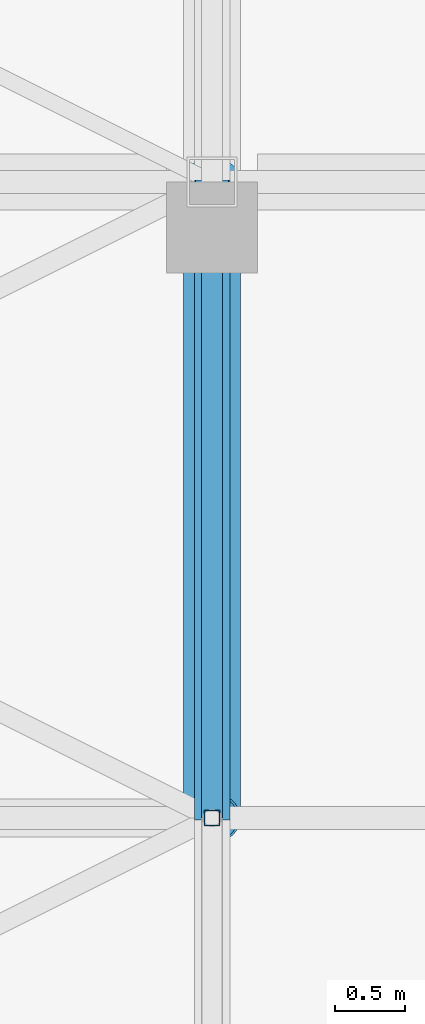
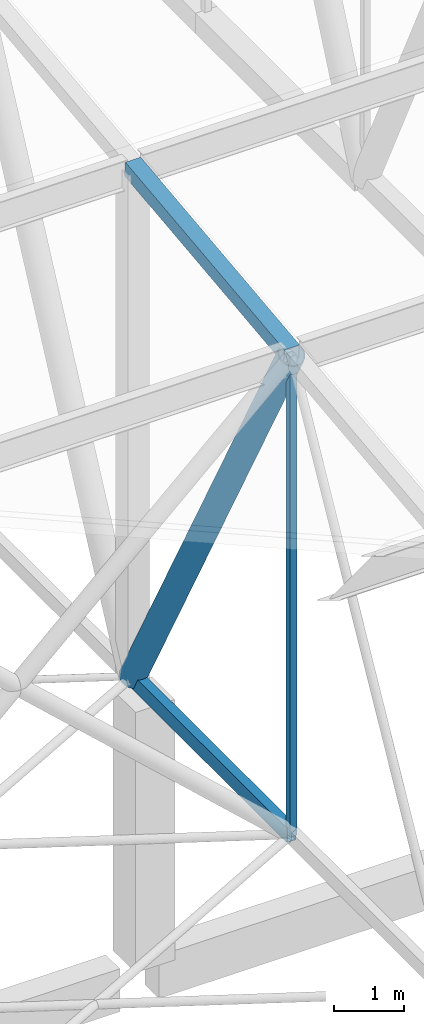
# One storey, part 37 of 500: 4 members.
"""IFC4 building model written with IfcOpenShell, lengths in metres."""

from ifc_helpers import new_model, si_unit, direction, frame, origin, origin_2d, place, context, subcontext, project, spatial, hollow_rectangle, hollow_circle, extrude, material, material_profile, profile_set, type_object, element, save


model = new_model("IFC4")

# Units and contexts
model_context = context("Model", 3, precision=1e-05, world=origin(), true_north=direction((0.0, 1.0)))
body_context = subcontext(model_context, "Body", "Model", "MODEL_VIEW")
ifc_project = project(units=[si_unit("LENGTHUNIT", "METRE"), si_unit("AREAUNIT", "SQUARE_METRE"), si_unit("VOLUMEUNIT", "CUBIC_METRE"), si_unit("PLANEANGLEUNIT", "RADIAN"), si_unit("MASSUNIT", "GRAM", prefix="KILO")], contexts=[model_context])

# Site, building, storey
site_placement = place(None, origin())
site = spatial("IfcSite", under=ifc_project, at=site_placement, CompositionType="ELEMENT")
building_placement = place(site_placement, origin())
building = spatial("IfcBuilding", under=site, at=building_placement, Name="Shirokan Park Arena", CompositionType="ELEMENT")
storey_placement = place(building_placement, frame((0.0, 0.0, 29.1201171875)))
storey = spatial("IfcBuildingStorey", under=building, at=storey_placement, Name="L06", CompositionType="ELEMENT", Elevation=29.1201171875)

# Members
ifc_material = material(Name="Steel ASTM A500 Grade C", Category="steel")
ifc_material_profile_1 = material_profile(ifc_material, hollow_rectangle(XDim=0.152099609375, YDim=0.25390625, WallThickness=0.009521484375, at=origin_2d()), Name="HSS254X152.4X9.5")
ifc_profile_set_1 = profile_set([ifc_material_profile_1], Name="Steel ASTM A500 Grade C")
member_type_1 = type_object("IfcMemberType", Name="Bottom chord HSS254X152.4X9.5", PredefinedType="CHORD", material=ifc_profile_set_1)
member_1_placement = place(storey_placement, frame((54.60009765625, 4.550048828125, 4.677001953125), z_axis=(0.0, 1.0, 0.0), x_axis=(-1.0, 0.0, 0.0)))
element("IfcMember", 1, at=member_1_placement, inside=storey, type_object=member_type_1, Name="Truss T07 bottom chord 4", PredefinedType="CHORD", context=body_context, shape_type="SweptSolid", body=[
    extrude(hollow_rectangle(XDim=0.152099609375, YDim=0.25390625, WallThickness=0.009521484375, at=origin_2d()), origin(), (0.0, 0.0, 1.0), 4.550048828125),
])
ifc_material_profile_2 = material_profile(ifc_material, hollow_rectangle(XDim=0.25390625, YDim=0.25390625, WallThickness=0.009521484375, at=origin_2d()), Name="HSS254X254X9.5")
ifc_profile_set_2 = profile_set([ifc_material_profile_2], Name="Steel ASTM A500 Grade C")
member_type_2 = type_object("IfcMemberType", Name="Top chord HSS254X254X9.5", PredefinedType="CHORD", material=ifc_profile_set_2)
member_2_placement = place(storey_placement, frame((54.60009765625, 4.550048828125, 13.061279296875), z_axis=(0.0, 0.993532328996, 0.113549598152), x_axis=(-1.0, 0.0, 0.0)))
element("IfcMember", 2, at=member_2_placement, inside=storey, type_object=member_type_2, Name="Truss T07 top chord 4", PredefinedType="CHORD", context=body_context, shape_type="SweptSolid", body=[
    extrude(hollow_rectangle(XDim=0.25390625, YDim=0.25390625, WallThickness=0.009521484375, at=origin_2d()), origin(), (0.0, 0.0, 1.0), 4.57958984375),
])
ifc_material_profile_3 = material_profile(ifc_material, hollow_circle(Radius=0.202880859375, WallThickness=0.015869140625, at=origin_2d()), Name="HSS406.4X15.9")
ifc_profile_set_3 = profile_set([ifc_material_profile_3], Name="Steel ASTM A500 Grade C")
member_type_3 = type_object("IfcMemberType", Name="Truss diagonal HSS406.4X15.9", PredefinedType="BRACE", material=ifc_profile_set_3)
member_3_placement = place(storey_placement, frame((54.60009765625, 4.550048828125, 13.061279296875), z_axis=(0.0, 0.476977206611, -0.878915663971), x_axis=(-1.0, 0.0, 0.0)))
element("IfcMember", 3, at=member_3_placement, inside=storey, type_object=member_type_3, Name="Truss T07 diagonal 4", PredefinedType="BRACE", context=body_context, shape_type="SweptSolid", body=[
    extrude(hollow_circle(Radius=0.202880859375, WallThickness=0.015869140625, at=origin_2d()), origin(), (0.0, 0.0, 1.0), 9.539306640625),
])
ifc_material_profile_4 = material_profile(ifc_material, hollow_rectangle(XDim=0.114013671875, YDim=0.114013671875, WallThickness=0.00634765625, at=origin_2d()), Name="HSS114.3X114.3X6.4")
ifc_profile_set_4 = profile_set([ifc_material_profile_4], Name="Steel ASTM A500 Grade C")
member_type_4 = type_object("IfcMemberType", Name="Truss post HSS114.3X114.3X6.4", PredefinedType="POST", material=ifc_profile_set_4)
member_4_placement = place(storey_placement, frame((54.60009765625, 4.550048828125, 4.677001953125), z_axis=(0.0, 0.0, 1.0), x_axis=(1.0, 0.0, 0.0)))
element("IfcMember", 4, at=member_4_placement, inside=storey, type_object=member_type_4, Name="Truss T07 post 4", PredefinedType="POST", context=body_context, shape_type="SweptSolid", body=[
    extrude(hollow_rectangle(XDim=0.114013671875, YDim=0.114013671875, WallThickness=0.00634765625, at=origin_2d()), origin(), (0.0, 0.0, 1.0), 8.38427734375),
])

save(model, "model.ifc")
